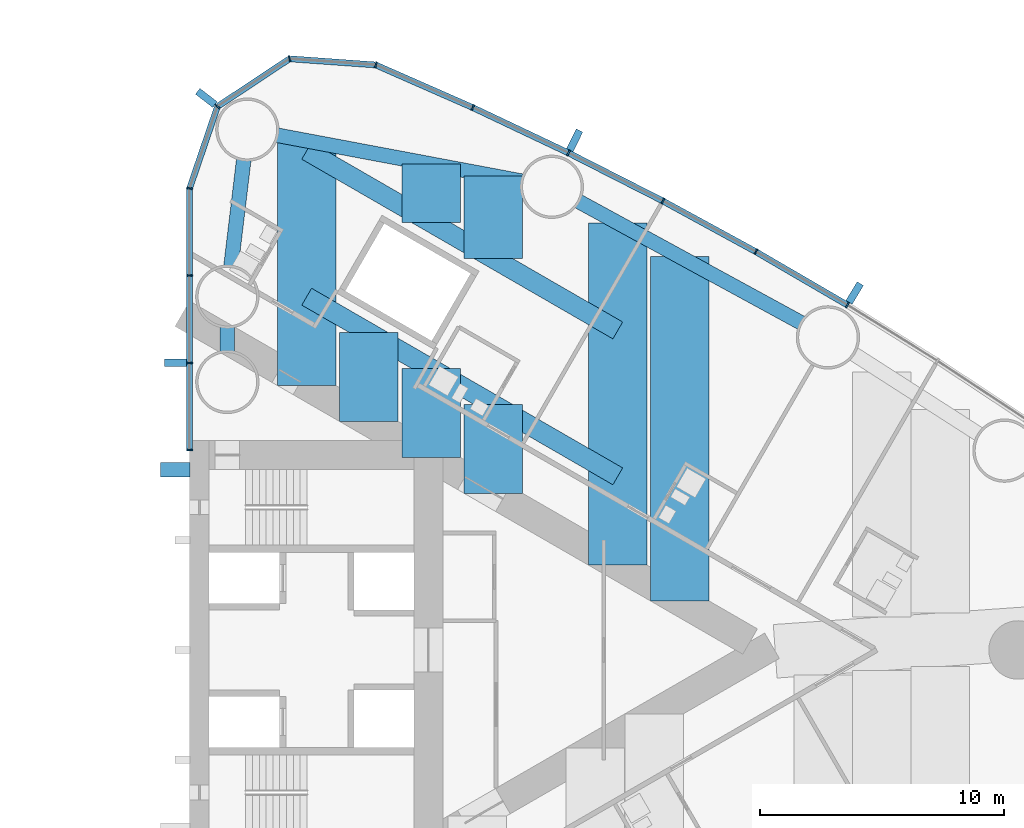
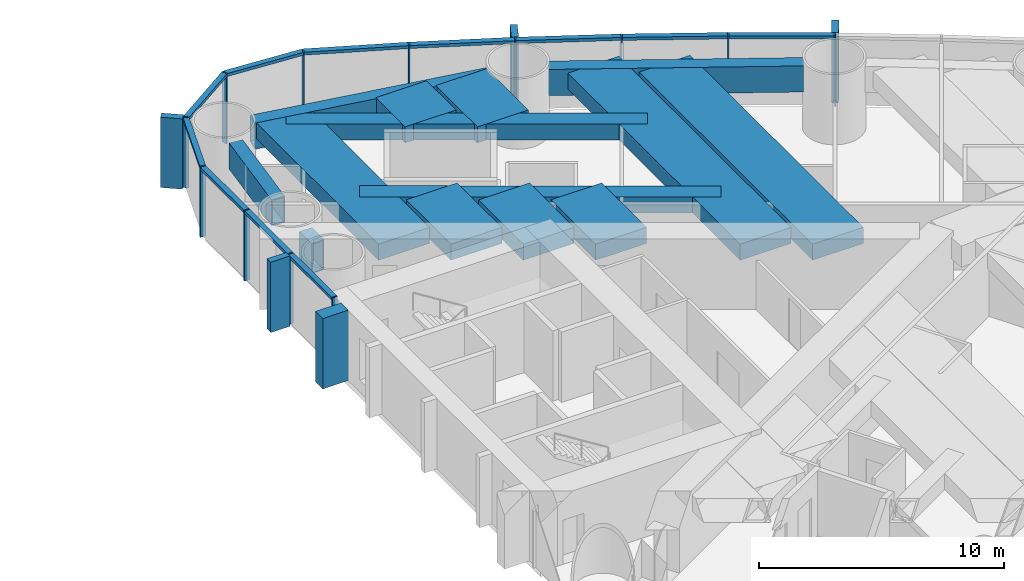
# One storey, part 7 of 18: 28 members, 14 beams, 1 element without a shape of its own.
"""IFC4 building model written with IfcOpenShell, lengths in metres."""

from ifc_helpers import new_model, si_unit, direction, frame, origin, origin_2d, place, context, subcontext, project, spatial, rectangle, hollow_rectangle, extrude, material, material_profile, profile_set, type_object, element, aggregate, save


model = new_model("IFC4")

# Units and contexts
model_context = context("Model", 3, precision=1e-05, world=origin(), true_north=direction((0.0, 1.0)))
body_context = subcontext(model_context, "Body", "Model", "MODEL_VIEW")
ifc_project = project(units=[si_unit("LENGTHUNIT", "METRE"), si_unit("AREAUNIT", "SQUARE_METRE"), si_unit("VOLUMEUNIT", "CUBIC_METRE"), si_unit("PLANEANGLEUNIT", "RADIAN"), si_unit("MASSUNIT", "GRAM", prefix="KILO")], contexts=[model_context])

# Site, building, storey
site_placement = place(None, origin())
site = spatial("IfcSite", under=ifc_project, at=site_placement, CompositionType="ELEMENT")
building_placement = place(site_placement, origin())
building = spatial("IfcBuilding", under=site, at=building_placement, Name="Lancet Gate Hotel", CompositionType="ELEMENT")
storey_placement = place(building_placement, frame((0.0, 0.0, 139.60009765625)))
storey = spatial("IfcBuildingStorey", under=building, at=storey_placement, Name="L37", CompositionType="ELEMENT", Elevation=139.60009765625)

# Curtain wall, members
ifc_material_1 = material(Name="Aluminium curtain wall", Category="aluminium")
curtain_wall_type = type_object("IfcCurtainWallType", Name="Tower unitised curtain wall", PredefinedType="USERDEFINED", material=ifc_material_1)
curtain_wall_placement = place(storey_placement, origin())
curtain_wall = element("IfcCurtainWall", 1, at=curtain_wall_placement, inside=storey, type_object=curtain_wall_type, Name="T2 L37 curtain wall 1", ObjectType="UNITISED CURTAIN WALL", PredefinedType="USERDEFINED")
ifc_material_2 = material(Name="Aluminium mullion", Category="aluminium")
ifc_material_profile_1 = material_profile(ifc_material_2, rectangle(XDim=0.06494140625, YDim=0.25, at=origin_2d()), Name="MULLION 65x250")
ifc_profile_set_1 = profile_set([ifc_material_profile_1], Name="Aluminium mullion")
member_type_1 = type_object("IfcMemberType", Name="Aluminium mullion 65x250", PredefinedType="MULLION", material=ifc_profile_set_1)
member_1_placement = place(storey_placement, frame((54.496337890625, 14.1552734375, 0.0), z_axis=(0.0, 0.0, 1.0), x_axis=(-0.856728030701, 0.515768437781, 0.0)))
member_1 = element("IfcMember", 2, at=member_1_placement, type_object=member_type_1, Name="T2 L37 curtain wall 1 mullion 23", PredefinedType="MULLION", context=body_context, shape_type="SweptSolid", body=[
    extrude(rectangle(XDim=0.06494140625, YDim=0.25, at=origin_2d()), origin(), (0.0, 0.0, 1.0), 3.5),
])
member_2_placement = place(storey_placement, frame((50.740478515625, 16.344482421875, 0.0), z_axis=(0.0, 0.0, 1.0), x_axis=(-0.871028838445, 0.491231882716, 0.0)))
member_2 = element("IfcMember", 3, at=member_2_placement, type_object=member_type_1, Name="T2 L37 curtain wall 1 mullion 24", PredefinedType="MULLION", context=body_context, shape_type="SweptSolid", body=[
    extrude(rectangle(XDim=0.06494140625, YDim=0.25, at=origin_2d()), origin(), (0.0, 0.0, 1.0), 3.5),
])
member_3_placement = place(storey_placement, frame((46.923828125, 18.426025390625, 0.0), z_axis=(0.0, 0.0, 1.0), x_axis=(-0.884627112962, 0.466299121822, 0.0)))
member_3 = element("IfcMember", 4, at=member_3_placement, type_object=member_type_1, Name="T2 L37 curtain wall 1 mullion 25", PredefinedType="MULLION", context=body_context, shape_type="SweptSolid", body=[
    extrude(rectangle(XDim=0.06494140625, YDim=0.25, at=origin_2d()), origin(), (0.0, 0.0, 1.0), 3.5),
])
member_4_placement = place(storey_placement, frame((43.0498046875, 20.398193359375, 0.0), z_axis=(0.0, 0.0, 1.0), x_axis=(-0.897511886496, 0.440990264743, 0.0)))
member_4 = element("IfcMember", 5, at=member_4_placement, type_object=member_type_1, Name="T2 L37 curtain wall 1 mullion 26", PredefinedType="MULLION", context=body_context, shape_type="SweptSolid", body=[
    extrude(rectangle(XDim=0.06494140625, YDim=0.25, at=origin_2d()), origin(), (0.0, 0.0, 1.0), 3.5),
])
member_5_placement = place(storey_placement, frame((39.12109375, 22.259765625, 0.0), z_axis=(0.0, 0.0, 1.0), x_axis=(-0.909672766767, 0.415325724465, 0.0)))
member_5 = element("IfcMember", 6, at=member_5_placement, type_object=member_type_1, Name="T2 L37 curtain wall 1 mullion 27", PredefinedType="MULLION", context=body_context, shape_type="SweptSolid", body=[
    extrude(rectangle(XDim=0.06494140625, YDim=0.25, at=origin_2d()), origin(), (0.0, 0.0, 1.0), 3.5),
])
member_6_placement = place(storey_placement, frame((35.141357421875, 24.009033203125, 0.0), z_axis=(0.0, 0.0, 1.0), x_axis=(-0.966317378791, 0.257353304711, 0.0)))
member_6 = element("IfcMember", 7, at=member_6_placement, type_object=member_type_1, Name="T2 L37 curtain wall 1 mullion 28", PredefinedType="MULLION", context=body_context, shape_type="SweptSolid", body=[
    extrude(rectangle(XDim=0.06494140625, YDim=0.25, at=origin_2d()), origin(), (0.0, 0.0, 1.0), 3.5),
])
member_7_placement = place(storey_placement, frame((31.60205078125, 24.26220703125, 0.0), z_axis=(0.0, 0.0, 1.0), x_axis=(-0.967157174963, -0.254179068604, 0.0)))
member_7 = element("IfcMember", 8, at=member_7_placement, type_object=member_type_1, Name="T2 L37 curtain wall 1 mullion 29", PredefinedType="MULLION", context=body_context, shape_type="SweptSolid", body=[
    extrude(rectangle(XDim=0.06494140625, YDim=0.25, at=origin_2d()), origin(), (0.0, 0.0, 1.0), 3.5),
])
member_8_placement = place(storey_placement, frame((28.64453125, 22.301513671875, 0.0), z_axis=(0.0, 0.0, 1.0), x_axis=(-0.610663954798, -0.79188984986, 0.0)))
member_8 = element("IfcMember", 9, at=member_8_placement, type_object=member_type_1, Name="T2 L37 curtain wall 1 mullion 30", PredefinedType="MULLION", context=body_context, shape_type="SweptSolid", body=[
    extrude(rectangle(XDim=0.06494140625, YDim=0.25, at=origin_2d()), origin(), (0.0, 0.0, 1.0), 3.5),
])
member_9_placement = place(storey_placement, frame((27.5, 18.94287109375, 0.0), z_axis=(0.0, 0.0, 1.0), x_axis=(-0.162738742557, -0.986669195663, 0.0)))
member_9 = element("IfcMember", 10, at=member_9_placement, type_object=member_type_1, Name="T2 L37 curtain wall 1 mullion 31", PredefinedType="MULLION", context=body_context, shape_type="SweptSolid", body=[
    extrude(rectangle(XDim=0.06494140625, YDim=0.25, at=origin_2d()), origin(), (0.0, 0.0, 1.0), 3.5),
])
member_10_placement = place(storey_placement, frame((27.5, 15.362060546875, 0.0), z_axis=(0.0, 0.0, 1.0), x_axis=(0.0, -1.0, 0.0)))
member_10 = element("IfcMember", 11, at=member_10_placement, type_object=member_type_1, Name="T2 L37 curtain wall 1 mullion 32", PredefinedType="MULLION", context=body_context, shape_type="SweptSolid", body=[
    extrude(rectangle(XDim=0.06494140625, YDim=0.25, at=origin_2d()), origin(), (0.0, 0.0, 1.0), 3.5),
])
member_11_placement = place(storey_placement, frame((27.5, 11.781005859375, 0.0), z_axis=(0.0, 0.0, 1.0), x_axis=(0.0, -1.0, 0.0)))
member_11 = element("IfcMember", 12, at=member_11_placement, type_object=member_type_1, Name="T2 L37 curtain wall 1 mullion 33", PredefinedType="MULLION", context=body_context, shape_type="SweptSolid", body=[
    extrude(rectangle(XDim=0.06494140625, YDim=0.25, at=origin_2d()), origin(), (0.0, 0.0, 1.0), 3.5),
])
member_12_placement = place(storey_placement, frame((27.5, 8.199951171875, 0.0), z_axis=(0.0, 0.0, 1.0), x_axis=(0.0, -1.0, 0.0)))
member_12 = element("IfcMember", 13, at=member_12_placement, type_object=member_type_1, Name="T2 L37 curtain wall 1 mullion 34", PredefinedType="MULLION", context=body_context, shape_type="SweptSolid", body=[
    extrude(rectangle(XDim=0.06494140625, YDim=0.25, at=origin_2d()), origin(), (0.0, 0.0, 1.0), 3.5),
])
ifc_material_3 = material(Name="Aluminium transom", Category="aluminium")
ifc_material_profile_2 = material_profile(ifc_material_3, rectangle(XDim=0.25, YDim=0.14990234375, at=origin_2d()), Name="TRANSOM 250x150")
ifc_profile_set_2 = profile_set([ifc_material_profile_2], Name="Aluminium transom")
member_type_2 = type_object("IfcMemberType", Name="Aluminium transom 250x150", PredefinedType="USERDEFINED", material=ifc_profile_set_2)
member_13_placement = place(storey_placement, frame((54.46826171875, 14.171630859375, 3.4248046875), z_axis=(-0.863973212152, 0.503537772847, 0.0), x_axis=(-0.503537772847, -0.863973212152, 0.0)))
member_13 = element("IfcMember", 14, at=member_13_placement, type_object=member_type_2, Name="T2 L37 curtain wall 1 transom 23", ObjectType="TRANSOM", PredefinedType="USERDEFINED", context=body_context, shape_type="SweptSolid", body=[
    extrude(rectangle(XDim=0.25, YDim=0.14990234375, at=origin_2d()), origin(), (0.0, 0.0, 1.0), 4.2822265625),
])
member_14_placement = place(storey_placement, frame((50.7119140625, 16.35986328125, 3.4248046875), z_axis=(-0.877906466435, 0.478832158685, 0.0), x_axis=(-0.478832158685, -0.877906466435, 0.0)))
member_14 = element("IfcMember", 15, at=member_14_placement, type_object=member_type_2, Name="T2 L37 curtain wall 1 transom 24", ObjectType="TRANSOM", PredefinedType="USERDEFINED", context=body_context, shape_type="SweptSolid", body=[
    extrude(rectangle(XDim=0.25, YDim=0.14990234375, at=origin_2d()), origin(), (0.0, 0.0, 1.0), 4.282470703125),
])
member_15_placement = place(storey_placement, frame((46.89501953125, 18.440673828125, 3.4248046875), z_axis=(-0.891165630033, 0.453678101574, 0.0), x_axis=(-0.453678101574, -0.891165630033, 0.0)))
member_15 = element("IfcMember", 16, at=member_15_placement, type_object=member_type_2, Name="T2 L37 curtain wall 1 transom 25", ObjectType="TRANSOM", PredefinedType="USERDEFINED", context=body_context, shape_type="SweptSolid", body=[
    extrude(rectangle(XDim=0.25, YDim=0.14990234375, at=origin_2d()), origin(), (0.0, 0.0, 1.0), 4.282470703125),
])
member_16_placement = place(storey_placement, frame((43.0205078125, 20.412109375, 3.4248046875), z_axis=(-0.903679787814, 0.428208875546, 0.0), x_axis=(-0.428208875546, -0.903679787814, 0.0)))
member_16 = element("IfcMember", 17, at=member_16_placement, type_object=member_type_2, Name="T2 L37 curtain wall 1 transom 26", ObjectType="TRANSOM", PredefinedType="USERDEFINED", context=body_context, shape_type="SweptSolid", body=[
    extrude(rectangle(XDim=0.25, YDim=0.14990234375, at=origin_2d()), origin(), (0.0, 0.0, 1.0), 4.282470703125),
])
member_17_placement = place(storey_placement, frame((39.09130859375, 22.27294921875, 3.4248046875), z_axis=(-0.915484772266, 0.402352621155, 0.0), x_axis=(-0.402352621155, -0.915484772266, 0.0)))
member_17 = element("IfcMember", 18, at=member_17_placement, type_object=member_type_2, Name="T2 L37 curtain wall 1 transom 27", ObjectType="TRANSOM", PredefinedType="USERDEFINED", context=body_context, shape_type="SweptSolid", body=[
    extrude(rectangle(XDim=0.25, YDim=0.14990234375, at=origin_2d()), origin(), (0.0, 0.0, 1.0), 4.281982421875),
])
member_18_placement = place(storey_placement, frame((35.10888671875, 24.01123046875, 3.4248046875), z_axis=(-0.997446232115, 0.071421383636, 0.0), x_axis=(-0.071421383636, -0.997446232115, 0.0)))
member_18 = element("IfcMember", 19, at=member_18_placement, type_object=member_type_2, Name="T2 L37 curtain wall 1 transom 28", ObjectType="TRANSOM", PredefinedType="USERDEFINED", context=body_context, shape_type="SweptSolid", body=[
    extrude(rectangle(XDim=0.25, YDim=0.14990234375, at=origin_2d()), origin(), (0.0, 0.0, 1.0), 3.483154296875),
])
member_19_placement = place(storey_placement, frame((31.574951171875, 24.244384765625, 3.4248046875), z_axis=(-0.833470854141, -0.552563421968, 0.0), x_axis=(0.552563421968, -0.833470854141, 0.0)))
member_19 = element("IfcMember", 20, at=member_19_placement, type_object=member_type_2, Name="T2 L37 curtain wall 1 transom 29", ObjectType="TRANSOM", PredefinedType="USERDEFINED", context=body_context, shape_type="SweptSolid", body=[
    extrude(rectangle(XDim=0.25, YDim=0.14990234375, at=origin_2d()), origin(), (0.0, 0.0, 1.0), 3.4833984375),
])
member_20_placement = place(storey_placement, frame((28.634033203125, 22.270751953125, 3.4248046875), z_axis=(-0.322549769135, -0.946552505903, 0.0), x_axis=(0.946552505903, -0.322549769135, 0.0)))
member_20 = element("IfcMember", 21, at=member_20_placement, type_object=member_type_2, Name="T2 L37 curtain wall 1 transom 30", ObjectType="TRANSOM", PredefinedType="USERDEFINED", context=body_context, shape_type="SweptSolid", body=[
    extrude(rectangle(XDim=0.25, YDim=0.14990234375, at=origin_2d()), origin(), (0.0, 0.0, 1.0), 3.4833984375),
])
member_21_placement = place(storey_placement, frame((27.5, 18.910400390625, 3.4248046875), z_axis=(0.0, -1.0, 0.0), x_axis=(1.0, 0.0, 0.0)))
member_21 = element("IfcMember", 22, at=member_21_placement, type_object=member_type_2, Name="T2 L37 curtain wall 1 transom 31", ObjectType="TRANSOM", PredefinedType="USERDEFINED", context=body_context, shape_type="SweptSolid", body=[
    extrude(rectangle(XDim=0.25, YDim=0.14990234375, at=origin_2d()), origin(), (0.0, 0.0, 1.0), 3.515869140625),
])
member_22_placement = place(storey_placement, frame((27.5, 15.329345703125, 3.4248046875), z_axis=(0.0, -1.0, 0.0), x_axis=(1.0, 0.0, 0.0)))
member_22 = element("IfcMember", 23, at=member_22_placement, type_object=member_type_2, Name="T2 L37 curtain wall 1 transom 32", ObjectType="TRANSOM", PredefinedType="USERDEFINED", context=body_context, shape_type="SweptSolid", body=[
    extrude(rectangle(XDim=0.25, YDim=0.14990234375, at=origin_2d()), origin(), (0.0, 0.0, 1.0), 3.515869140625),
])
member_23_placement = place(storey_placement, frame((27.5, 11.74853515625, 3.4248046875), z_axis=(0.0, -1.0, 0.0), x_axis=(1.0, 0.0, 0.0)))
member_23 = element("IfcMember", 24, at=member_23_placement, type_object=member_type_2, Name="T2 L37 curtain wall 1 transom 33", ObjectType="TRANSOM", PredefinedType="USERDEFINED", context=body_context, shape_type="SweptSolid", body=[
    extrude(rectangle(XDim=0.25, YDim=0.14990234375, at=origin_2d()), origin(), (0.0, 0.0, 1.0), 3.51611328125),
])

# Beams
ifc_material_4 = material(Name="Steel S460QL", Category="steel")
ifc_material_profile_3 = material_profile(ifc_material_4, hollow_rectangle(XDim=0.60009765625, YDim=1.300048828125, WallThickness=0.050048828125, at=origin_2d()), Name="BOX 1300x600x50")
ifc_profile_set_3 = profile_set([ifc_material_profile_3], Name="Steel S460QL")
beam_type_1 = type_object("IfcBeamType", Name="Edge beam BOX 1300x600x50", PredefinedType="SPANDREL", material=ifc_profile_set_3)
beam_1_placement = place(storey_placement, frame((52.599609375, 13.42578125, 2.599853515625), z_axis=(-0.877909917705, 0.47882583096, 0.0), x_axis=(-0.47882583096, -0.877909917705, 0.0)))
element("IfcBeam", 25, at=beam_1_placement, inside=storey, type_object=beam_type_1, Name="T2 edge beam EB2 L37", PredefinedType="SPANDREL", context=body_context, shape_type="SweptSolid", body=[
    extrude(hollow_rectangle(XDim=0.60009765625, YDim=1.300048828125, WallThickness=0.050048828125, at=origin_2d()), origin(), (0.0, 0.0, 1.0), 10.406494140625),
])
beam_2_placement = place(storey_placement, frame((41.1376953125, 19.238037109375, 2.599853515625), z_axis=(-0.982796328432, 0.184692655027, 0.0), x_axis=(-0.184692655027, -0.982796328432, 0.0)))
element("IfcBeam", 26, at=beam_2_placement, inside=storey, type_object=beam_type_1, Name="T2 edge beam EB2 L37", PredefinedType="SPANDREL", context=body_context, shape_type="SweptSolid", body=[
    extrude(hollow_rectangle(XDim=0.60009765625, YDim=1.300048828125, WallThickness=0.050048828125, at=origin_2d()), origin(), (0.0, 0.0, 1.0), 10.212890625),
])
beam_3_placement = place(storey_placement, frame((29.19873046875, 15.7412109375, 2.599853515625), z_axis=(0.119073085639, 0.992885492026, 0.0), x_axis=(-0.992885492026, 0.119073085639, 0.0)))
element("IfcBeam", 27, at=beam_3_placement, inside=storey, type_object=beam_type_1, Name="T2 edge beam EB2 L37", PredefinedType="SPANDREL", context=body_context, shape_type="SweptSolid", body=[
    extrude(hollow_rectangle(XDim=0.60009765625, YDim=1.300048828125, WallThickness=0.050048828125, at=origin_2d()), origin(), (0.0, 0.0, 1.0), 4.404052734375),
])

# Member
ifc_material_5 = material(Name="Concrete C60/75", Category="concrete")
ifc_material_profile_4 = material_profile(ifc_material_5, rectangle(XDim=0.60009765625, YDim=1.199951171875, at=origin_2d()), Name="FIN 600x1200")
ifc_profile_set_4 = profile_set([ifc_material_profile_4], Name="Concrete C60/75")
member_type_3 = type_object("IfcMemberType", Name="Exposed concrete buttress pilaster 600x1200", PredefinedType="USERDEFINED", material=ifc_profile_set_4)
member_24_placement = place(storey_placement, frame((26.909912109375, 7.39990234375, 0.0), z_axis=(0.0, 0.0, 1.0), x_axis=(0.0, 1.0, 0.0)))
element("IfcMember", 28, at=member_24_placement, inside=storey, type_object=member_type_3, Name="T2 buttress pilaster N L37", ObjectType="FIN", PredefinedType="USERDEFINED", context=body_context, shape_type="SweptSolid", body=[
    extrude(rectangle(XDim=0.60009765625, YDim=1.199951171875, at=origin_2d()), origin(), (0.0, 0.0, 1.0), 3.5),
])

ifc_material_6 = material(Name="Precast concrete C50/60", Category="concrete")
ifc_material_profile_5 = material_profile(ifc_material_6, rectangle(XDim=0.300048828125, YDim=0.89990234375, at=origin_2d()), Name="FIN 300x900")
ifc_profile_set_5 = profile_set([ifc_material_profile_5], Name="Precast concrete C50/60")
member_type_4 = type_object("IfcMemberType", Name="Exposed concrete fin 300x900", PredefinedType="USERDEFINED", material=ifc_profile_set_5)
member_25_placement = place(storey_placement, frame((54.79296875, 14.64794921875, 0.0), z_axis=(0.0, 0.0, 1.0), x_axis=(-0.856728030701, 0.515768437781, 0.0)))
member_25 = element("IfcMember", 29, at=member_25_placement, type_object=member_type_4, Name="T2 L37 curtain wall 1 fin 23", ObjectType="FIN", PredefinedType="USERDEFINED", context=body_context, shape_type="SweptSolid", body=[
    extrude(rectangle(XDim=0.300048828125, YDim=0.89990234375, at=origin_2d()), origin(), (0.0, 0.0, 1.0), 3.5),
])

member_26_placement = place(storey_placement, frame((43.30322265625, 20.914306640625, 0.0), z_axis=(0.0, 0.0, 1.0), x_axis=(-0.897511886496, 0.440990264743, 0.0)))
member_26 = element("IfcMember", 30, at=member_26_placement, type_object=member_type_4, Name="T2 L37 curtain wall 1 fin 26", ObjectType="FIN", PredefinedType="USERDEFINED", context=body_context, shape_type="SweptSolid", body=[
    extrude(rectangle(XDim=0.300048828125, YDim=0.89990234375, at=origin_2d()), origin(), (0.0, 0.0, 1.0), 3.5),
])

member_27_placement = place(storey_placement, frame((28.189208984375, 22.65283203125, 0.0), z_axis=(0.0, 0.0, 1.0), x_axis=(-0.610663954798, -0.79188984986, 0.0)))
member_27 = element("IfcMember", 31, at=member_27_placement, type_object=member_type_4, Name="T2 L37 curtain wall 1 fin 30", ObjectType="FIN", PredefinedType="USERDEFINED", context=body_context, shape_type="SweptSolid", body=[
    extrude(rectangle(XDim=0.300048828125, YDim=0.89990234375, at=origin_2d()), origin(), (0.0, 0.0, 1.0), 3.5),
])

member_28_placement = place(storey_placement, frame((26.925048828125, 11.781005859375, 0.0), z_axis=(0.0, 0.0, 1.0), x_axis=(0.0, -1.0, 0.0)))
member_28 = element("IfcMember", 32, at=member_28_placement, type_object=member_type_4, Name="T2 L37 curtain wall 1 fin 33", ObjectType="FIN", PredefinedType="USERDEFINED", context=body_context, shape_type="SweptSolid", body=[
    extrude(rectangle(XDim=0.300048828125, YDim=0.89990234375, at=origin_2d()), origin(), (0.0, 0.0, 1.0), 3.5),
])

aggregate(curtain_wall, [member_1, member_25, member_2, member_3, member_4, member_26, member_5, member_6, member_7, member_8, member_27, member_9, member_10, member_11, member_28, member_12, member_13, member_14, member_15, member_16, member_17, member_18, member_19, member_20, member_21, member_22, member_23])

# Beams
ifc_material_7 = material(Name="Concrete C50/60", Category="concrete")
ifc_material_profile_6 = material_profile(ifc_material_7, rectangle(XDim=2.39990234375, YDim=0.800048828125, at=origin_2d()), Name="RC 2400x800")
ifc_profile_set_6 = profile_set([ifc_material_profile_6], Name="Concrete C50/60")
beam_type_2 = type_object("IfcBeamType", Name="Floor beam RC 2400x800", PredefinedType="BEAM", material=ifc_profile_set_6)
beam_4_placement = place(storey_placement, frame((32.306396484375, 10.851806640625, 2.849853515625), z_axis=(0.0, 1.0, 0.0), x_axis=(-1.0, 0.0, 0.0)))
element("IfcBeam", 33, at=beam_4_placement, inside=storey, type_object=beam_type_2, Name="T2 floor beam F02N L37", PredefinedType="BEAM", context=body_context, shape_type="SweptSolid", body=[
    extrude(rectangle(XDim=2.39990234375, YDim=0.800048828125, at=origin_2d()), origin(), (0.0, 0.0, 1.0), 10.0458984375),
])
beam_5_placement = place(storey_placement, frame((45.072265625, 3.4814453125, 2.849853515625), z_axis=(0.0, 1.0, 0.0), x_axis=(-1.0, 0.0, 0.0)))
element("IfcBeam", 34, at=beam_5_placement, inside=storey, type_object=beam_type_2, Name="T2 floor beam F10N L37", PredefinedType="BEAM", context=body_context, shape_type="SweptSolid", body=[
    extrude(rectangle(XDim=2.39990234375, YDim=0.800048828125, at=origin_2d()), origin(), (0.0, 0.0, 1.0), 14.0498046875),
])
beam_6_placement = place(storey_placement, frame((47.62548828125, 2.00732421875, 2.849853515625), z_axis=(0.0, 1.0, 0.0), x_axis=(-1.0, 0.0, 0.0)))
element("IfcBeam", 35, at=beam_6_placement, inside=storey, type_object=beam_type_2, Name="T2 floor beam F12N L37", PredefinedType="BEAM", context=body_context, shape_type="SweptSolid", body=[
    extrude(rectangle(XDim=2.39990234375, YDim=0.800048828125, at=origin_2d()), origin(), (0.0, 0.0, 1.0), 14.13134765625),
])
beam_7_placement = place(storey_placement, frame((34.859619140625, 9.377685546875, 2.849853515625), z_axis=(0.0, 1.0, 0.0), x_axis=(-1.0, 0.0, 0.0)))
element("IfcBeam", 36, at=beam_7_placement, inside=storey, type_object=beam_type_2, Name="T2 floor beam F04NA L37", PredefinedType="BEAM", context=body_context, shape_type="SweptSolid", body=[
    extrude(rectangle(XDim=2.39990234375, YDim=0.800048828125, at=origin_2d()), origin(), (0.0, 0.0, 1.0), 3.645751953125),
])
beam_8_placement = place(storey_placement, frame((37.412841796875, 7.903564453125, 2.849853515625), z_axis=(0.0, 1.0, 0.0), x_axis=(-1.0, 0.0, 0.0)))
element("IfcBeam", 37, at=beam_8_placement, inside=storey, type_object=beam_type_2, Name="T2 floor beam F06NA L37", PredefinedType="BEAM", context=body_context, shape_type="SweptSolid", body=[
    extrude(rectangle(XDim=2.39990234375, YDim=0.800048828125, at=origin_2d()), origin(), (0.0, 0.0, 1.0), 3.6455078125),
])
beam_9_placement = place(storey_placement, frame((37.412841796875, 17.537109375, 2.849853515625), z_axis=(0.0, 1.0, 0.0), x_axis=(-1.0, 0.0, 0.0)))
element("IfcBeam", 38, at=beam_9_placement, inside=storey, type_object=beam_type_2, Name="T2 floor beam F06NB L37", PredefinedType="BEAM", context=body_context, shape_type="SweptSolid", body=[
    extrude(rectangle(XDim=2.39990234375, YDim=0.800048828125, at=origin_2d()), origin(), (0.0, 0.0, 1.0), 2.40087890625),
])
beam_10_placement = place(storey_placement, frame((39.9658203125, 6.429443359375, 2.849853515625), z_axis=(0.0, 1.0, 0.0), x_axis=(-1.0, 0.0, 0.0)))
element("IfcBeam", 39, at=beam_10_placement, inside=storey, type_object=beam_type_2, Name="T2 floor beam F08NA L37", PredefinedType="BEAM", context=body_context, shape_type="SweptSolid", body=[
    extrude(rectangle(XDim=2.39990234375, YDim=0.800048828125, at=origin_2d()), origin(), (0.0, 0.0, 1.0), 3.64501953125),
])
beam_11_placement = place(storey_placement, frame((39.9658203125, 16.062744140625, 2.849853515625), z_axis=(0.0, 1.0, 0.0), x_axis=(-1.0, 0.0, 0.0)))
element("IfcBeam", 40, at=beam_11_placement, inside=storey, type_object=beam_type_2, Name="T2 floor beam F08NB L37", PredefinedType="BEAM", context=body_context, shape_type="SweptSolid", body=[
    extrude(rectangle(XDim=2.39990234375, YDim=0.800048828125, at=origin_2d()), origin(), (0.0, 0.0, 1.0), 3.3955078125),
])
ifc_material_8 = material(Name="Steel S460QL", Category="steel")
ifc_material_profile_7 = material_profile(ifc_material_8, hollow_rectangle(XDim=0.60009765625, YDim=1.5, WallThickness=0.050048828125, at=origin_2d()), Name="BOX 1500x600x50")
ifc_profile_set_7 = profile_set([ifc_material_profile_7], Name="Steel S460QL")
beam_type_3 = type_object("IfcBeamType", Name="Inner-face link beam BOX 1500x600x50", PredefinedType="BEAM", material=ifc_profile_set_7)
beam_12_placement = place(storey_placement, frame((29.050048828125, 12.25, 2.5), z_axis=(0.0, 1.0, 0.0), x_axis=(-1.0, 0.0, 0.0)))
element("IfcBeam", 41, at=beam_12_placement, inside=storey, type_object=beam_type_3, Name="T2 inner-face link beam LK1 L37", PredefinedType="BEAM", context=body_context, shape_type="SweptSolid", body=[
    extrude(hollow_rectangle(XDim=0.60009765625, YDim=1.5, WallThickness=0.050048828125, at=origin_2d()), origin(), (0.0, 0.0, 1.0), 1.0),
])
ifc_material_9 = material(Name="Steel S460QL", Category="steel")
ifc_material_profile_8 = material_profile(ifc_material_9, hollow_rectangle(XDim=0.800048828125, YDim=0.800048828125, WallThickness=0.080078125, at=origin_2d()), Name="BOX 800x800x80")
ifc_profile_set_8 = profile_set([ifc_material_profile_8], Name="Steel S460QL")
beam_type_4 = type_object("IfcBeamType", Name="Trimmer beam BOX 800x800x80", PredefinedType="BEAM", material=ifc_profile_set_8)
beam_13_placement = place(storey_placement, frame((32.306396484375, 20.48583984375, 2.849853515625), z_axis=(0.86598286195, -0.500073677381, 0.0), x_axis=(0.500073677381, 0.86598286195, 0.0)))
element("IfcBeam", 42, at=beam_13_placement, inside=storey, type_object=beam_type_4, Name="T2 trimmer beam TR03N L37", PredefinedType="BEAM", context=body_context, shape_type="SweptSolid", body=[
    extrude(hollow_rectangle(XDim=0.800048828125, YDim=0.800048828125, WallThickness=0.080078125, at=origin_2d()), origin(), (0.0, 0.0, 1.0), 14.741455078125),
])
beam_14_placement = place(storey_placement, frame((32.306396484375, 14.497802734375, 2.849853515625), z_axis=(0.865975689888, -0.500086097111, 0.0), x_axis=(0.500086097111, 0.865975689888, 0.0)))
element("IfcBeam", 43, at=beam_14_placement, inside=storey, type_object=beam_type_4, Name="T2 trimmer beam TR04N L37", PredefinedType="BEAM", context=body_context, shape_type="SweptSolid", body=[
    extrude(hollow_rectangle(XDim=0.800048828125, YDim=0.800048828125, WallThickness=0.080078125, at=origin_2d()), origin(), (0.0, 0.0, 1.0), 14.74169921875),
])

save(model, "model.ifc")
